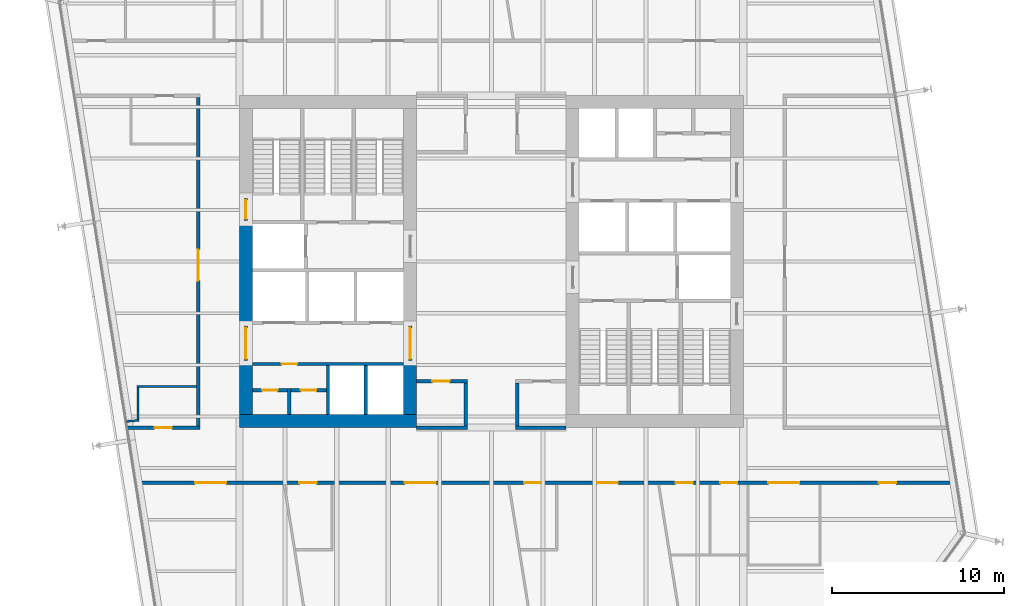
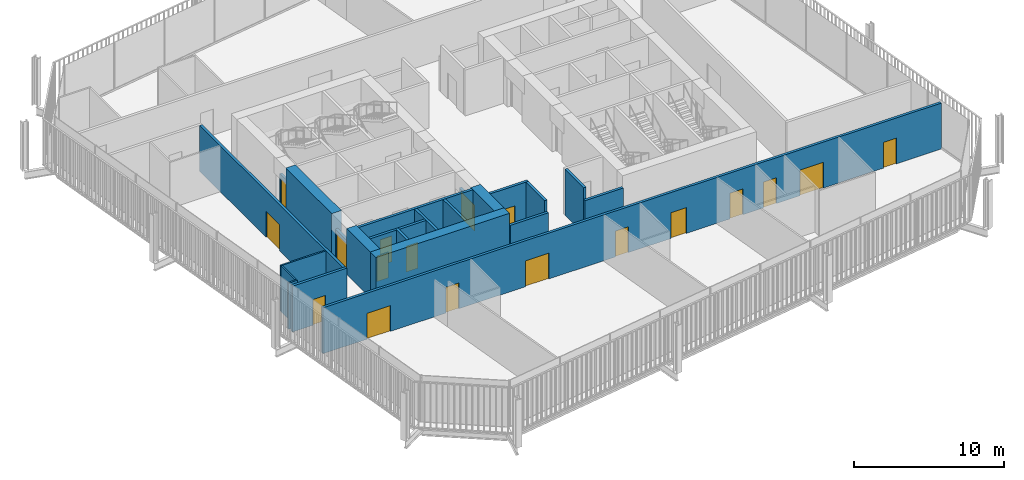
# One storey, part 17 of 21: 23 walls, 18 doors, 18 openings.
"""IFC4 building model written with IfcOpenShell, lengths in metres."""

from ifc_helpers import new_model, si_unit, direction, frame, frame_2d, origin, place, context, subcontext, project, spatial, rectangle, extrude, material, layer, layer_set, type_object, element, fill, save


model = new_model("IFC4")

# Units and contexts
model_context = context("Model", 3, precision=1e-05, world=origin(), true_north=direction((0.0, 1.0)))
body_context = subcontext(model_context, "Body", "Model", "MODEL_VIEW")
ifc_project = project(units=[si_unit("LENGTHUNIT", "METRE"), si_unit("AREAUNIT", "SQUARE_METRE"), si_unit("VOLUMEUNIT", "CUBIC_METRE"), si_unit("PLANEANGLEUNIT", "RADIAN"), si_unit("MASSUNIT", "GRAM", prefix="KILO")], contexts=[model_context])

# Site, building, storey
site_placement = place(None, origin())
site = spatial("IfcSite", under=ifc_project, at=site_placement, CompositionType="ELEMENT")
building_placement = place(site_placement, origin())
building = spatial("IfcBuilding", under=site, at=building_placement, Name="Millrace Tower", CompositionType="ELEMENT")
storey_placement = place(building_placement, frame((0.0, 0.0, 164.60009765625)))
storey = spatial("IfcBuildingStorey", under=building, at=storey_placement, Name="L37", CompositionType="ELEMENT", Elevation=164.60009765625)

# Walls
ifc_material_1 = material(Name="Concrete C70", Category="concrete")
ifc_layer_1 = layer(ifc_material_1, 0.75)
ifc_layer_set_1 = layer_set([ifc_layer_1], Name="Concrete C70")
wall_type_1 = type_object("IfcWallType", Name="Core wall 750 Concrete C70", PredefinedType="SHEAR", material=ifc_layer_set_1)
wall_1_placement = place(storey_placement, frame((-14.64990234375, -9.27490234375, 0.0), z_axis=(0.0, 0.0, 1.0), x_axis=(1.0, 0.0, 0.0)))
element("IfcWall", 1, at=wall_1_placement, inside=storey, type_object=wall_type_1, Name="Core wall W L37", PredefinedType="SHEAR", context=body_context, shape_type="SweptSolid", body=[
    extrude(rectangle(XDim=10.2998046875, YDim=0.75, at=frame_2d((5.14990234375, 0.0))), origin(), (0.0, 0.0, 1.0), 3.739990234375),
])
wall_2_placement = place(storey_placement, frame((-14.27490234375, -8.89990234375, 0.0), z_axis=(0.0, 0.0, 1.0), x_axis=(0.0, 1.0, 0.0)))
element("IfcWall", 2, at=wall_2_placement, inside=storey, type_object=wall_type_1, Name="Core wall W L37", PredefinedType="SHEAR", context=body_context, shape_type="SweptSolid", body=[
    extrude(rectangle(XDim=3.14990234375, YDim=0.75, at=frame_2d((1.574951171875, 0.0))), origin(), (0.0, 0.0, 1.0), 3.739990234375),
])
wall_3_placement = place(storey_placement, frame((-14.27490234375, -3.75, 0.0), z_axis=(0.0, 0.0, 1.0), x_axis=(0.0, 1.0, 0.0)))
element("IfcWall", 3, at=wall_3_placement, inside=storey, type_object=wall_type_1, Name="Core wall W L37", PredefinedType="SHEAR", context=body_context, shape_type="SweptSolid", body=[
    extrude(rectangle(XDim=6.1298828125, YDim=0.75, at=frame_2d((3.06494140625, 0.0))), origin(), (0.0, 0.0, 1.0), 3.739990234375),
])
wall_4_placement = place(storey_placement, frame((-4.72509765625, -8.89990234375, 0.0), z_axis=(0.0, 0.0, 1.0), x_axis=(0.0, 1.0, 0.0)))
element("IfcWall", 4, at=wall_4_placement, inside=storey, type_object=wall_type_1, Name="Core wall W L37", PredefinedType="SHEAR", context=body_context, shape_type="SweptSolid", body=[
    extrude(rectangle(XDim=3.14990234375, YDim=0.75, at=frame_2d((1.574951171875, 0.0))), origin(), (0.0, 0.0, 1.0), 3.739990234375),
])

# Wall, openings, doors
ifc_material_2 = material(Name="Masonry partition, fire-rated", Category="masonry")
ifc_layer_2 = layer(ifc_material_2, 0.199951171875)
ifc_layer_set_2 = layer_set([ifc_layer_2], Name="Masonry partition, fire-rated")
wall_type_2 = type_object("IfcWallType", Name="Corridor wall 200", PredefinedType="PARTITIONING", material=ifc_layer_set_2)
wall_5_placement = place(storey_placement, frame((-20.6435546875, -12.85009765625, 0.0), z_axis=(0.0, 0.0, 1.0), x_axis=(1.0, 0.0, 0.0)))
wall_5 = element("IfcWall", 5, at=wall_5_placement, inside=storey, type_object=wall_type_2, Name="Corridor wall L37", PredefinedType="PARTITIONING", context=body_context, shape_type="SweptSolid", body=[
    extrude(rectangle(XDim=47.646728515625, YDim=0.199951171875, at=frame_2d((23.8232421875, 0.0))), origin(), (0.0, 0.0, 1.0), 3.739990234375),
])
opening_1_placement = place(wall_5_placement, frame((3.41796875, 0.0, 0.0)))
opening_1 = element("IfcOpeningElement", 6, at=opening_1_placement, cuts=wall_5, Name="Opening 37-P010", PredefinedType="OPENING", context=body_context, shape_type="SweptSolid", body=[
    extrude(rectangle(XDim=1.800048828125, YDim=2.10009765625, at=frame_2d((0.89990234375, 1.050048828125))), frame((0.0, 0.10986328125, 0.0), z_axis=(0.0, -1.0, 0.0), x_axis=(1.0, 0.0, 0.0)), (0.0, 0.0, 1.0), 0.219970703125),
])
opening_2_placement = place(wall_5_placement, frame((15.615966796875, 0.0, 0.0)))
opening_2 = element("IfcOpeningElement", 7, at=opening_2_placement, cuts=wall_5, Name="Opening 37-P011", PredefinedType="OPENING", context=body_context, shape_type="SweptSolid", body=[
    extrude(rectangle(XDim=1.800048828125, YDim=2.10009765625, at=frame_2d((0.89990234375, 1.050048828125))), frame((0.0, 0.10986328125, 0.0), z_axis=(0.0, -1.0, 0.0), x_axis=(1.0, 0.0, 0.0)), (0.0, 0.0, 1.0), 0.219970703125),
])
opening_3_placement = place(wall_5_placement, frame((9.485595703125, 0.0, 0.0)))
opening_3 = element("IfcOpeningElement", 8, at=opening_3_placement, cuts=wall_5, Name="Opening 37-P012", PredefinedType="OPENING", context=body_context, shape_type="SweptSolid", body=[
    extrude(rectangle(XDim=1.0, YDim=2.10009765625, at=frame_2d((0.5, 1.050048828125))), frame((0.0, 0.10986328125, 0.0), z_axis=(0.0, -1.0, 0.0), x_axis=(1.0, 0.0, 0.0)), (0.0, 0.0, 1.0), 0.219970703125),
])
opening_4_placement = place(wall_5_placement, frame((26.800048828125, 0.0, 0.0)))
opening_4 = element("IfcOpeningElement", 9, at=opening_4_placement, cuts=wall_5, Name="Opening 37-P013", PredefinedType="OPENING", context=body_context, shape_type="SweptSolid", body=[
    extrude(rectangle(XDim=1.199951171875, YDim=2.10009765625, at=frame_2d((0.60009765625, 1.050048828125))), frame((0.0, 0.10986328125, 0.0), z_axis=(0.0, -1.0, 0.0), x_axis=(1.0, 0.0, 0.0)), (0.0, 0.0, 1.0), 0.219970703125),
])
opening_5_placement = place(wall_5_placement, frame((22.54638671875, 0.0, 0.0)))
opening_5 = element("IfcOpeningElement", 10, at=opening_5_placement, cuts=wall_5, Name="Opening 37-P014", PredefinedType="OPENING", context=body_context, shape_type="SweptSolid", body=[
    extrude(rectangle(XDim=1.0, YDim=2.10009765625, at=frame_2d((0.5, 1.050048828125))), frame((0.0, 0.10986328125, 0.0), z_axis=(0.0, -1.0, 0.0), x_axis=(1.0, 0.0, 0.0)), (0.0, 0.0, 1.0), 0.219970703125),
])
opening_6_placement = place(wall_5_placement, frame((43.174560546875, 0.0, 0.0)))
opening_6 = element("IfcOpeningElement", 11, at=opening_6_placement, cuts=wall_5, Name="Opening 37-P015", PredefinedType="OPENING", context=body_context, shape_type="SweptSolid", body=[
    extrude(rectangle(XDim=1.0, YDim=2.10009765625, at=frame_2d((0.5, 1.050048828125))), frame((0.0, 0.10986328125, 0.0), z_axis=(0.0, -1.0, 0.0), x_axis=(1.0, 0.0, 0.0)), (0.0, 0.0, 1.0), 0.219970703125),
])
opening_7_placement = place(wall_5_placement, frame((31.353515625, 0.0, 0.0)))
opening_7 = element("IfcOpeningElement", 12, at=opening_7_placement, cuts=wall_5, Name="Opening 37-P016", PredefinedType="OPENING", context=body_context, shape_type="SweptSolid", body=[
    extrude(rectangle(XDim=1.0, YDim=2.10009765625, at=frame_2d((0.5, 1.050048828125))), frame((0.0, 0.10986328125, 0.0), z_axis=(0.0, -1.0, 0.0), x_axis=(1.0, 0.0, 0.0)), (0.0, 0.0, 1.0), 0.219970703125),
])
opening_8_placement = place(wall_5_placement, frame((33.95361328125, 0.0, 0.0)))
opening_8 = element("IfcOpeningElement", 13, at=opening_8_placement, cuts=wall_5, Name="Opening 37-P017", PredefinedType="OPENING", context=body_context, shape_type="SweptSolid", body=[
    extrude(rectangle(XDim=1.0, YDim=2.10009765625, at=frame_2d((0.5, 1.050048828125))), frame((0.0, 0.10986328125, 0.0), z_axis=(0.0, -1.0, 0.0), x_axis=(1.0, 0.0, 0.0)), (0.0, 0.0, 1.0), 0.219970703125),
])
opening_9_placement = place(wall_5_placement, frame((36.75341796875, 0.0, 0.0)))
opening_9 = element("IfcOpeningElement", 14, at=opening_9_placement, cuts=wall_5, Name="Opening 37-P018", PredefinedType="OPENING", context=body_context, shape_type="SweptSolid", body=[
    extrude(rectangle(XDim=1.800048828125, YDim=2.10009765625, at=frame_2d((0.89990234375, 1.050048828125))), frame((0.0, 0.10986328125, 0.0), z_axis=(0.0, -1.0, 0.0), x_axis=(1.0, 0.0, 0.0)), (0.0, 0.0, 1.0), 0.219970703125),
])
ifc_material_3 = material(Name="Steel door set, fire-rated", Category="steel")
door_type_1 = type_object("IfcDoorType", Name="Corridor door 1000 x 2100", OperationType="SINGLE_SWING_LEFT", PredefinedType="DOOR", material=ifc_material_3)
door_1_placement = place(opening_3_placement, frame((1.0, 0.0, 0.0), z_axis=(0.0, 0.0, 1.0), x_axis=(-1.0, 0.0, 0.0)))
door_1 = element("IfcDoor", 15, at=door_1_placement, inside=storey, type_object=door_type_1, Name="Door 37-P012", OperationType="SINGLE_SWING_RIGHT", OverallHeight=2.10009765625, OverallWidth=1.0, PredefinedType="DOOR", context=body_context, shape_type="SweptSolid", body=[
    extrude(rectangle(XDim=1.0, YDim=2.10009765625, at=frame_2d((0.5, 1.050048828125))), frame((0.0, 0.02490234375, 0.0), z_axis=(0.0, -1.0, 0.0), x_axis=(1.0, 0.0, 0.0)), (0.0, 0.0, 1.0), 0.050048828125),
])
fill(opening_3, door_1)
door_2_placement = place(opening_5_placement, frame((1.0, 0.0, 0.0), z_axis=(0.0, 0.0, 1.0), x_axis=(-1.0, 0.0, 0.0)))
door_2 = element("IfcDoor", 16, at=door_2_placement, inside=storey, type_object=door_type_1, Name="Door 37-P014", OperationType="SINGLE_SWING_RIGHT", OverallHeight=2.10009765625, OverallWidth=1.0, PredefinedType="DOOR", context=body_context, shape_type="SweptSolid", body=[
    extrude(rectangle(XDim=1.0, YDim=2.10009765625, at=frame_2d((0.5, 1.050048828125))), frame((0.0, 0.02490234375, 0.0), z_axis=(0.0, -1.0, 0.0), x_axis=(1.0, 0.0, 0.0)), (0.0, 0.0, 1.0), 0.050048828125),
])
fill(opening_5, door_2)
door_3_placement = place(opening_6_placement, frame((1.0, 0.0, 0.0), z_axis=(0.0, 0.0, 1.0), x_axis=(-1.0, 0.0, 0.0)))
door_3 = element("IfcDoor", 17, at=door_3_placement, inside=storey, type_object=door_type_1, Name="Door 37-P015", OperationType="SINGLE_SWING_LEFT", OverallHeight=2.10009765625, OverallWidth=1.0, PredefinedType="DOOR", context=body_context, shape_type="SweptSolid", body=[
    extrude(rectangle(XDim=1.0, YDim=2.10009765625, at=frame_2d((0.5, 1.050048828125))), frame((0.0, 0.02490234375, 0.0), z_axis=(0.0, -1.0, 0.0), x_axis=(1.0, 0.0, 0.0)), (0.0, 0.0, 1.0), 0.050048828125),
])
fill(opening_6, door_3)
door_4_placement = place(opening_7_placement, frame((1.0, 0.0, 0.0), z_axis=(0.0, 0.0, 1.0), x_axis=(-1.0, 0.0, 0.0)))
door_4 = element("IfcDoor", 18, at=door_4_placement, inside=storey, type_object=door_type_1, Name="Door 37-P016", OperationType="SINGLE_SWING_LEFT", OverallHeight=2.10009765625, OverallWidth=1.0, PredefinedType="DOOR", context=body_context, shape_type="SweptSolid", body=[
    extrude(rectangle(XDim=1.0, YDim=2.10009765625, at=frame_2d((0.5, 1.050048828125))), frame((0.0, 0.02490234375, 0.0), z_axis=(0.0, -1.0, 0.0), x_axis=(1.0, 0.0, 0.0)), (0.0, 0.0, 1.0), 0.050048828125),
])
fill(opening_7, door_4)
door_5_placement = place(opening_8_placement, frame((1.0, 0.0, 0.0), z_axis=(0.0, 0.0, 1.0), x_axis=(-1.0, 0.0, 0.0)))
door_5 = element("IfcDoor", 19, at=door_5_placement, inside=storey, type_object=door_type_1, Name="Door 37-P017", OperationType="SINGLE_SWING_LEFT", OverallHeight=2.10009765625, OverallWidth=1.0, PredefinedType="DOOR", context=body_context, shape_type="SweptSolid", body=[
    extrude(rectangle(XDim=1.0, YDim=2.10009765625, at=frame_2d((0.5, 1.050048828125))), frame((0.0, 0.02490234375, 0.0), z_axis=(0.0, -1.0, 0.0), x_axis=(1.0, 0.0, 0.0)), (0.0, 0.0, 1.0), 0.050048828125),
])
fill(opening_8, door_5)
ifc_material_4 = material(Name="Steel door set, fire-rated", Category="steel")
door_type_2 = type_object("IfcDoorType", Name="Corridor door 1200 x 2100", OperationType="SINGLE_SWING_LEFT", PredefinedType="DOOR", material=ifc_material_4)
door_6_placement = place(opening_4_placement, frame((1.199951171875, 0.0, 0.0), z_axis=(0.0, 0.0, 1.0), x_axis=(-1.0, 0.0, 0.0)))
door_6 = element("IfcDoor", 20, at=door_6_placement, inside=storey, type_object=door_type_2, Name="Door 37-P013", OperationType="SINGLE_SWING_LEFT", OverallHeight=2.10009765625, OverallWidth=1.199951171875, PredefinedType="DOOR", context=body_context, shape_type="SweptSolid", body=[
    extrude(rectangle(XDim=1.199951171875, YDim=2.10009765625, at=frame_2d((0.60009765625, 1.050048828125))), frame((0.0, 0.02490234375, 0.0), z_axis=(0.0, -1.0, 0.0), x_axis=(1.0, 0.0, 0.0)), (0.0, 0.0, 1.0), 0.050048828125),
])
fill(opening_4, door_6)
ifc_material_5 = material(Name="Steel door set, fire-rated", Category="steel")
door_type_3 = type_object("IfcDoorType", Name="Corridor door 1800 x 2100", OperationType="DOUBLE_DOOR_SINGLE_SWING", PredefinedType="DOOR", material=ifc_material_5)
door_7_placement = place(opening_1_placement, frame((1.800048828125, 0.0, 0.0), z_axis=(0.0, 0.0, 1.0), x_axis=(-1.0, 0.0, 0.0)))
door_7 = element("IfcDoor", 21, at=door_7_placement, inside=storey, type_object=door_type_3, Name="Door 37-P010", OperationType="DOUBLE_DOOR_SINGLE_SWING", OverallHeight=2.10009765625, OverallWidth=1.800048828125, PredefinedType="DOOR", context=body_context, shape_type="SweptSolid", body=[
    extrude(rectangle(XDim=1.800048828125, YDim=2.10009765625, at=frame_2d((0.89990234375, 1.050048828125))), frame((0.0, 0.02490234375, 0.0), z_axis=(0.0, -1.0, 0.0), x_axis=(1.0, 0.0, 0.0)), (0.0, 0.0, 1.0), 0.050048828125),
])
fill(opening_1, door_7)
door_8_placement = place(opening_2_placement, frame((1.800048828125, 0.0, 0.0), z_axis=(0.0, 0.0, 1.0), x_axis=(-1.0, 0.0, 0.0)))
door_8 = element("IfcDoor", 22, at=door_8_placement, inside=storey, type_object=door_type_3, Name="Door 37-P011", OperationType="DOUBLE_DOOR_SINGLE_SWING", OverallHeight=2.10009765625, OverallWidth=1.800048828125, PredefinedType="DOOR", context=body_context, shape_type="SweptSolid", body=[
    extrude(rectangle(XDim=1.800048828125, YDim=2.10009765625, at=frame_2d((0.89990234375, 1.050048828125))), frame((0.0, 0.02490234375, 0.0), z_axis=(0.0, -1.0, 0.0), x_axis=(1.0, 0.0, 0.0)), (0.0, 0.0, 1.0), 0.050048828125),
])
fill(opening_2, door_8)
door_9_placement = place(opening_9_placement, frame((1.800048828125, 0.0, 0.0), z_axis=(0.0, 0.0, 1.0), x_axis=(-1.0, 0.0, 0.0)))
door_9 = element("IfcDoor", 23, at=door_9_placement, inside=storey, type_object=door_type_3, Name="Door 37-P018", OperationType="DOUBLE_DOOR_SINGLE_SWING", OverallHeight=2.10009765625, OverallWidth=1.800048828125, PredefinedType="DOOR", context=body_context, shape_type="SweptSolid", body=[
    extrude(rectangle(XDim=1.800048828125, YDim=2.10009765625, at=frame_2d((0.89990234375, 1.050048828125))), frame((0.0, 0.02490234375, 0.0), z_axis=(0.0, -1.0, 0.0), x_axis=(1.0, 0.0, 0.0)), (0.0, 0.0, 1.0), 0.050048828125),
])
fill(opening_9, door_9)

# Wall, opening, door
wall_6_placement = place(storey_placement, frame((-21.150390625, -9.64990234375, 0.0), z_axis=(0.0, 0.0, 1.0), x_axis=(1.0, 0.0, 0.0)))
wall_6 = element("IfcWall", 24, at=wall_6_placement, inside=storey, type_object=wall_type_2, Name="Corridor wall L37", PredefinedType="PARTITIONING", context=body_context, shape_type="SweptSolid", body=[
    extrude(rectangle(XDim=4.200439453125, YDim=0.199951171875, at=frame_2d((2.10009765625, 0.0))), origin(), (0.0, 0.0, 1.0), 3.739990234375),
])
opening_10_placement = place(wall_6_placement, frame((1.575439453125, 0.0, 0.0)))
opening_10 = element("IfcOpeningElement", 25, at=opening_10_placement, cuts=wall_6, Name="Opening 37-P019", PredefinedType="OPENING", context=body_context, shape_type="SweptSolid", body=[
    extrude(rectangle(XDim=1.0, YDim=2.10009765625, at=frame_2d((0.5, 1.050048828125))), frame((0.0, 0.10986328125, 0.0), z_axis=(0.0, -1.0, 0.0), x_axis=(1.0, 0.0, 0.0)), (0.0, 0.0, 1.0), 0.219970703125),
])
door_10_placement = place(opening_10_placement, origin())
door_10 = element("IfcDoor", 26, at=door_10_placement, inside=storey, type_object=door_type_1, Name="Door 37-P019", OperationType="SINGLE_SWING_RIGHT", OverallHeight=2.10009765625, OverallWidth=1.0, PredefinedType="DOOR", context=body_context, shape_type="SweptSolid", body=[
    extrude(rectangle(XDim=1.0, YDim=2.10009765625, at=frame_2d((0.5, 1.050048828125))), frame((0.0, 0.02490234375, 0.0), z_axis=(0.0, -1.0, 0.0), x_axis=(1.0, 0.0, 0.0)), (0.0, 0.0, 1.0), 0.050048828125),
])
fill(opening_10, door_10)

# Walls
for number, where, z_axis, x_axis, name in (
    (27, (-4.35009765625, -9.64990234375, 0.0), (0.0, 0.0, 1.0), (1.0, 0.0, 0.0), "Corridor wall L37"),
    (28, (1.39990234375, -9.64990234375, 0.0), (0.0, 0.0, 1.0), (1.0, 0.0, 0.0), "Corridor wall L37"),
):
    element("IfcWall", number, at=place(storey_placement, frame(where, z_axis=z_axis, x_axis=x_axis)), inside=storey, type_object=wall_type_2, Name=name, PredefinedType="PARTITIONING", context=body_context, shape_type="SweptSolid", body=[
        extrude(rectangle(XDim=2.9501953125, YDim=0.199951171875, at=frame_2d((1.47509765625, 0.0))), origin(), (0.0, 0.0, 1.0), 2.812744140625),
    ])

# Wall, opening, door
wall_7_placement = place(storey_placement, frame((-4.35009765625, -6.949951171875, 0.0), z_axis=(0.0, 0.0, 1.0), x_axis=(1.0, 0.0, 0.0)))
wall_7 = element("IfcWall", 29, at=wall_7_placement, inside=storey, type_object=wall_type_2, Name="Corridor wall L37", PredefinedType="PARTITIONING", context=body_context, shape_type="SweptSolid", body=[
    extrude(rectangle(XDim=2.9501953125, YDim=0.199951171875, at=frame_2d((1.47509765625, 0.0))), origin(), (0.0, 0.0, 1.0), 3.739990234375),
])
opening_11_placement = place(wall_7_placement, frame((0.925048828125, 0.0, 0.0)))
opening_11 = element("IfcOpeningElement", 30, at=opening_11_placement, cuts=wall_7, Name="Opening 37-P003", PredefinedType="OPENING", context=body_context, shape_type="SweptSolid", body=[
    extrude(rectangle(XDim=1.0, YDim=2.10009765625, at=frame_2d((0.5, 1.050048828125))), frame((0.0, 0.10986328125, 0.0), z_axis=(0.0, -1.0, 0.0), x_axis=(1.0, 0.0, 0.0)), (0.0, 0.0, 1.0), 0.219970703125),
])
door_11_placement = place(opening_11_placement, frame((1.0, 0.0, 0.0), z_axis=(0.0, 0.0, 1.0), x_axis=(-1.0, 0.0, 0.0)))
door_11 = element("IfcDoor", 31, at=door_11_placement, inside=storey, type_object=door_type_1, Name="Door 37-P003", OperationType="SINGLE_SWING_LEFT", OverallHeight=2.10009765625, OverallWidth=1.0, PredefinedType="DOOR", context=body_context, shape_type="SweptSolid", body=[
    extrude(rectangle(XDim=1.0, YDim=2.10009765625, at=frame_2d((0.5, 1.050048828125))), frame((0.0, 0.02490234375, 0.0), z_axis=(0.0, -1.0, 0.0), x_axis=(1.0, 0.0, 0.0)), (0.0, 0.0, 1.0), 0.050048828125),
])
fill(opening_11, door_11)

# Walls
for number, where, z_axis, x_axis, name in (
    (32, (1.5, -9.550048828125, 0.0), (0.0, 0.0, 1.0), (0.0, 1.0, 0.0), "Corridor wall L37"),
    (33, (-1.5, -9.550048828125, 0.0), (0.0, 0.0, 1.0), (0.0, 1.0, 0.0), "Corridor wall L37"),
):
    element("IfcWall", number, at=place(storey_placement, frame(where, z_axis=z_axis, x_axis=x_axis)), inside=storey, type_object=wall_type_2, Name=name, PredefinedType="PARTITIONING", context=body_context, shape_type="SweptSolid", body=[
        extrude(rectangle(XDim=2.5, YDim=0.199951171875, at=frame_2d((1.25, 0.0))), origin(), (0.0, 0.0, 1.0), 3.739990234375),
    ])

# Wall, opening, door
wall_8_placement = place(storey_placement, frame((-17.050048828125, -9.550048828125, 0.0), z_axis=(0.0, 0.0, 1.0), x_axis=(0.0, 1.0, 0.0)))
wall_8 = element("IfcWall", 34, at=wall_8_placement, inside=storey, type_object=wall_type_2, Name="Corridor wall L37", PredefinedType="PARTITIONING", context=body_context, shape_type="SweptSolid", body=[
    extrude(rectangle(XDim=19.10009765625, YDim=0.199951171875, at=frame_2d((9.550048828125, 0.0))), origin(), (0.0, 0.0, 1.0), 3.739990234375),
])
opening_12_placement = place(wall_8_placement, frame((8.449951171875, 0.0, 0.0)))
opening_12 = element("IfcOpeningElement", 35, at=opening_12_placement, cuts=wall_8, Name="Opening 37-P020", PredefinedType="OPENING", context=body_context, shape_type="SweptSolid", body=[
    extrude(rectangle(XDim=1.800048828125, YDim=2.10009765625, at=frame_2d((0.89990234375, 1.050048828125))), frame((0.0, 0.10986328125, 0.0), z_axis=(0.0, -1.0, 0.0), x_axis=(1.0, 0.0, 0.0)), (0.0, 0.0, 1.0), 0.219970703125),
])
door_12_placement = place(opening_12_placement, origin())
door_12 = element("IfcDoor", 36, at=door_12_placement, inside=storey, type_object=door_type_3, Name="Door 37-P020", OperationType="DOUBLE_DOOR_SINGLE_SWING", OverallHeight=2.10009765625, OverallWidth=1.800048828125, PredefinedType="DOOR", context=body_context, shape_type="SweptSolid", body=[
    extrude(rectangle(XDim=1.800048828125, YDim=2.10009765625, at=frame_2d((0.89990234375, 1.050048828125))), frame((0.0, 0.02490234375, 0.0), z_axis=(0.0, -1.0, 0.0), x_axis=(1.0, 0.0, 0.0)), (0.0, 0.0, 1.0), 0.050048828125),
])
fill(opening_12, door_12)

ifc_material_6 = material(Name="Masonry partition, fire-rated", Category="masonry")
ifc_layer_3 = layer(ifc_material_6, 0.199951171875)
ifc_layer_set_3 = layer_set([ifc_layer_3], Name="Masonry partition, fire-rated")
wall_type_3 = type_object("IfcWallType", Name="Lift shaft wall 200", PredefinedType="PARTITIONING", material=ifc_layer_set_3)
wall_9_placement = place(storey_placement, frame((-13.89990234375, -5.949951171875, 0.0), z_axis=(0.0, 0.0, 1.0), x_axis=(1.0, 0.0, 0.0)))
wall_9 = element("IfcWall", 37, at=wall_9_placement, inside=storey, type_object=wall_type_3, Name="Lift shaft wall W L37", PredefinedType="PARTITIONING", context=body_context, shape_type="SweptSolid", body=[
    extrude(rectangle(XDim=8.7998046875, YDim=0.199951171875, at=frame_2d((4.39990234375, 0.0))), origin(), (0.0, 0.0, 1.0), 3.739990234375),
])
opening_13_placement = place(wall_9_placement, frame((1.699951171875, 0.0, 0.0)))
opening_13 = element("IfcOpeningElement", 38, at=opening_13_placement, cuts=wall_9, Name="Opening 37-C005", PredefinedType="OPENING", context=body_context, shape_type="SweptSolid", body=[
    extrude(rectangle(XDim=0.89990234375, YDim=2.10009765625, at=frame_2d((0.449951171875, 1.050048828125))), frame((0.0, 0.10986328125, 0.0), z_axis=(0.0, -1.0, 0.0), x_axis=(1.0, 0.0, 0.0)), (0.0, 0.0, 1.0), 0.219970703125),
])
ifc_material_7 = material(Name="Steel door, fire-rated", Category="steel")
door_type_4 = type_object("IfcDoorType", Name="Service room door 900 x 2100", OperationType="SINGLE_SWING_LEFT", PredefinedType="DOOR", material=ifc_material_7)
door_13_placement = place(opening_13_placement, origin())
door_13 = element("IfcDoor", 39, at=door_13_placement, inside=storey, type_object=door_type_4, Name="Service room door 37-C005", OperationType="SINGLE_SWING_LEFT", OverallHeight=2.10009765625, OverallWidth=0.89990234375, PredefinedType="DOOR", context=body_context, shape_type="SweptSolid", body=[
    extrude(rectangle(XDim=0.89990234375, YDim=2.10009765625, at=frame_2d((0.449951171875, 1.050048828125))), frame((0.0, 0.02490234375, 0.0), z_axis=(0.0, -1.0, 0.0), x_axis=(1.0, 0.0, 0.0)), (0.0, 0.0, 1.0), 0.050048828125),
])
fill(opening_13, door_13)

# Walls
for number, where, z_axis, x_axis, name in (
    (40, (-9.5, -8.89990234375, 0.0), (0.0, 0.0, 1.0), (0.0, 1.0, 0.0), "Lift shaft wall W L37"),
    (41, (-7.300048828125, -8.89990234375, 0.0), (0.0, 0.0, 1.0), (0.0, 1.0, 0.0), "Lift shaft wall W L37"),
):
    element("IfcWall", number, at=place(storey_placement, frame(where, z_axis=z_axis, x_axis=x_axis)), inside=storey, type_object=wall_type_3, Name=name, PredefinedType="PARTITIONING", context=body_context, shape_type="SweptSolid", body=[
        extrude(rectangle(XDim=2.849853515625, YDim=0.199951171875, at=frame_2d((1.4248046875, 0.0))), origin(), (0.0, 0.0, 1.0), 3.739990234375),
    ])

# Wall, opening, door
ifc_material_8 = material(Name="Masonry partition, fire-rated", Category="masonry")
ifc_layer_4 = layer(ifc_material_8, 0.199951171875)
ifc_layer_set_4 = layer_set([ifc_layer_4], Name="Masonry partition, fire-rated")
wall_type_4 = type_object("IfcWallType", Name="Lobby wall 200", PredefinedType="PARTITIONING", material=ifc_layer_set_4)
wall_10_placement = place(storey_placement, frame((-14.27490234375, -5.75, 0.0), z_axis=(0.0, 0.0, 1.0), x_axis=(0.0, 1.0, 0.0)))
wall_10 = element("IfcWall", 42, at=wall_10_placement, inside=storey, type_object=wall_type_4, Name="Lobby wall W L37", PredefinedType="PARTITIONING", context=body_context, shape_type="SweptSolid", body=[
    extrude(rectangle(XDim=2.0, YDim=0.199951171875, at=frame_2d((1.0, 0.0))), origin(), (0.0, 0.0, 1.0), 2.39990234375),
])
opening_14_placement = place(wall_10_placement, frame((0.10009765625, 0.0, 0.0)))
opening_14 = element("IfcOpeningElement", 43, at=opening_14_placement, cuts=wall_10, Name="Opening 37-C001", PredefinedType="OPENING", context=body_context, shape_type="SweptSolid", body=[
    extrude(rectangle(XDim=1.800048828125, YDim=2.10009765625, at=frame_2d((0.89990234375, 1.050048828125))), frame((0.0, 0.10986328125, 0.0), z_axis=(0.0, -1.0, 0.0), x_axis=(1.0, 0.0, 0.0)), (0.0, 0.0, 1.0), 0.219970703125),
])
ifc_material_9 = material(Name="Steel door, fire-rated", Category="steel")
door_type_5 = type_object("IfcDoorType", Name="Lobby door 1800 x 2100", OperationType="DOUBLE_DOOR_SINGLE_SWING", PredefinedType="DOOR", material=ifc_material_9)
door_14_placement = place(opening_14_placement, origin())
door_14 = element("IfcDoor", 44, at=door_14_placement, inside=storey, type_object=door_type_5, Name="Lobby door 37-C001", OperationType="DOUBLE_DOOR_SINGLE_SWING", OverallHeight=2.10009765625, OverallWidth=1.800048828125, PredefinedType="DOOR", context=body_context, shape_type="SweptSolid", body=[
    extrude(rectangle(XDim=1.800048828125, YDim=2.10009765625, at=frame_2d((0.89990234375, 1.050048828125))), frame((0.0, 0.02490234375, 0.0), z_axis=(0.0, -1.0, 0.0), x_axis=(1.0, 0.0, 0.0)), (0.0, 0.0, 1.0), 0.050048828125),
])
fill(opening_14, door_14)

wall_11_placement = place(storey_placement, frame((-4.72509765625, -5.75, 0.0), z_axis=(0.0, 0.0, 1.0), x_axis=(0.0, 1.0, 0.0)))
wall_11 = element("IfcWall", 45, at=wall_11_placement, inside=storey, type_object=wall_type_4, Name="Lobby wall W L37", PredefinedType="PARTITIONING", context=body_context, shape_type="SweptSolid", body=[
    extrude(rectangle(XDim=2.0, YDim=0.199951171875, at=frame_2d((1.0, 0.0))), origin(), (0.0, 0.0, 1.0), 2.39990234375),
])
opening_15_placement = place(wall_11_placement, frame((0.10009765625, 0.0, 0.0)))
opening_15 = element("IfcOpeningElement", 46, at=opening_15_placement, cuts=wall_11, Name="Opening 37-C003", PredefinedType="OPENING", context=body_context, shape_type="SweptSolid", body=[
    extrude(rectangle(XDim=1.800048828125, YDim=2.10009765625, at=frame_2d((0.89990234375, 1.050048828125))), frame((0.0, 0.10986328125, 0.0), z_axis=(0.0, -1.0, 0.0), x_axis=(1.0, 0.0, 0.0)), (0.0, 0.0, 1.0), 0.219970703125),
])
door_15_placement = place(opening_15_placement, origin())
door_15 = element("IfcDoor", 47, at=door_15_placement, inside=storey, type_object=door_type_5, Name="Lobby door 37-C003", OperationType="DOUBLE_DOOR_SINGLE_SWING", OverallHeight=2.10009765625, OverallWidth=1.800048828125, PredefinedType="DOOR", context=body_context, shape_type="SweptSolid", body=[
    extrude(rectangle(XDim=1.800048828125, YDim=2.10009765625, at=frame_2d((0.89990234375, 1.050048828125))), frame((0.0, 0.02490234375, 0.0), z_axis=(0.0, -1.0, 0.0), x_axis=(1.0, 0.0, 0.0)), (0.0, 0.0, 1.0), 0.050048828125),
])
fill(opening_15, door_15)

# Walls
ifc_material_10 = material(Name="Gypsum board partition")
ifc_layer_5 = layer(ifc_material_10, 0.1201171875)
ifc_layer_set_5 = layer_set([ifc_layer_5], Name="Gypsum board partition")
wall_type_5 = type_object("IfcWallType", Name="Partition wall 120", PredefinedType="PARTITIONING", material=ifc_layer_set_5)
wall_12_placement = place(storey_placement, frame((-20.60986328125, -7.25, 0.0), z_axis=(0.0, 0.0, 1.0), x_axis=(1.0, 0.0, 0.0)))
element("IfcWall", 48, at=wall_12_placement, inside=storey, type_object=wall_type_5, Name="Partition wall L37", PredefinedType="PARTITIONING", context=body_context, shape_type="SweptSolid", body=[
    extrude(rectangle(XDim=3.459716796875, YDim=0.1201171875, at=frame_2d((1.72998046875, 0.0))), origin(), (0.0, 0.0, 1.0), 3.739990234375),
])
wall_13_placement = place(storey_placement, frame((-21.20751953125, -9.28857421875, 0.0), z_axis=(0.0, 0.0, 1.0), x_axis=(0.99691705502, 0.078462637039, 0.0)))
element("IfcWall", 49, at=wall_13_placement, inside=storey, type_object=wall_type_5, Name="Partition wall L37", PredefinedType="PARTITIONING", context=body_context, shape_type="SweptSolid", body=[
    extrude(rectangle(XDim=0.71875, YDim=0.1201171875, at=frame_2d((0.359375, 0.0))), origin(), (0.0, 0.0, 1.0), 3.739990234375),
])
wall_14_placement = place(storey_placement, frame((-20.550048828125, -9.17578125, 0.0), z_axis=(0.0, 0.0, 1.0), x_axis=(0.0, 1.0, 0.0)))
element("IfcWall", 50, at=wall_14_placement, inside=storey, type_object=wall_type_5, Name="Partition wall L37", PredefinedType="PARTITIONING", context=body_context, shape_type="SweptSolid", body=[
    extrude(rectangle(XDim=1.86572265625, YDim=0.1201171875, at=frame_2d((0.932861328125, 0.0))), origin(), (0.0, 0.0, 1.0), 3.739990234375),
])

# Wall, openings, doors
ifc_material_11 = material(Name="Masonry partition, fire-rated", Category="masonry")
ifc_layer_6 = layer(ifc_material_11, 0.199951171875)
ifc_layer_set_6 = layer_set([ifc_layer_6], Name="Masonry partition, fire-rated")
wall_type_6 = type_object("IfcWallType", Name="Room partition 200", PredefinedType="PARTITIONING", material=ifc_layer_set_6)
wall_15_placement = place(storey_placement, frame((-13.89990234375, -7.47509765625, 0.0), z_axis=(0.0, 0.0, 1.0), x_axis=(1.0, 0.0, 0.0)))
wall_15 = element("IfcWall", 51, at=wall_15_placement, inside=storey, type_object=wall_type_6, Name="Room partition W L37", PredefinedType="PARTITIONING", context=body_context, shape_type="SweptSolid", body=[
    extrude(rectangle(XDim=4.2998046875, YDim=0.199951171875, at=frame_2d((2.14990234375, 0.0))), origin(), (0.0, 0.0, 1.0), 3.739990234375),
])
opening_16_placement = place(wall_15_placement, frame((0.574951171875, 0.0, 0.0)))
opening_16 = element("IfcOpeningElement", 52, at=opening_16_placement, cuts=wall_15, Name="Opening 37-C006", PredefinedType="OPENING", context=body_context, shape_type="SweptSolid", body=[
    extrude(rectangle(XDim=0.89990234375, YDim=2.10009765625, at=frame_2d((0.449951171875, 1.050048828125))), frame((0.0, 0.10986328125, 0.0), z_axis=(0.0, -1.0, 0.0), x_axis=(1.0, 0.0, 0.0)), (0.0, 0.0, 1.0), 0.219970703125),
])
opening_17_placement = place(wall_15_placement, frame((2.824951171875, 0.0, 0.0)))
opening_17 = element("IfcOpeningElement", 53, at=opening_17_placement, cuts=wall_15, Name="Opening 37-C007", PredefinedType="OPENING", context=body_context, shape_type="SweptSolid", body=[
    extrude(rectangle(XDim=0.89990234375, YDim=2.10009765625, at=frame_2d((0.449951171875, 1.050048828125))), frame((0.0, 0.10986328125, 0.0), z_axis=(0.0, -1.0, 0.0), x_axis=(1.0, 0.0, 0.0)), (0.0, 0.0, 1.0), 0.219970703125),
])
door_16_placement = place(opening_16_placement, frame((0.89990234375, 0.0, 0.0), z_axis=(0.0, 0.0, 1.0), x_axis=(-1.0, 0.0, 0.0)))
door_16 = element("IfcDoor", 54, at=door_16_placement, inside=storey, type_object=door_type_4, Name="Service room door 37-C006", OperationType="SINGLE_SWING_RIGHT", OverallHeight=2.10009765625, OverallWidth=0.89990234375, PredefinedType="DOOR", context=body_context, shape_type="SweptSolid", body=[
    extrude(rectangle(XDim=0.89990234375, YDim=2.10009765625, at=frame_2d((0.449951171875, 1.050048828125))), frame((0.0, 0.02490234375, 0.0), z_axis=(0.0, -1.0, 0.0), x_axis=(1.0, 0.0, 0.0)), (0.0, 0.0, 1.0), 0.050048828125),
])
fill(opening_16, door_16)
door_17_placement = place(opening_17_placement, frame((0.89990234375, 0.0, 0.0), z_axis=(0.0, 0.0, 1.0), x_axis=(-1.0, 0.0, 0.0)))
door_17 = element("IfcDoor", 55, at=door_17_placement, inside=storey, type_object=door_type_4, Name="Service room door 37-C007", OperationType="SINGLE_SWING_LEFT", OverallHeight=2.10009765625, OverallWidth=0.89990234375, PredefinedType="DOOR", context=body_context, shape_type="SweptSolid", body=[
    extrude(rectangle(XDim=0.89990234375, YDim=2.10009765625, at=frame_2d((0.449951171875, 1.050048828125))), frame((0.0, 0.02490234375, 0.0), z_axis=(0.0, -1.0, 0.0), x_axis=(1.0, 0.0, 0.0)), (0.0, 0.0, 1.0), 0.050048828125),
])
fill(opening_17, door_17)

# Wall
wall_16_placement = place(storey_placement, frame((-11.75, -8.89990234375, 0.0), z_axis=(0.0, 0.0, 1.0), x_axis=(0.0, 1.0, 0.0)))
element("IfcWall", 56, at=wall_16_placement, inside=storey, type_object=wall_type_6, Name="Room partition W L37", PredefinedType="PARTITIONING", context=body_context, shape_type="SweptSolid", body=[
    extrude(rectangle(XDim=1.52490234375, YDim=0.199951171875, at=frame_2d((0.762451171875, 0.0))), origin(), (0.0, 0.0, 1.0), 3.739990234375),
])

# Wall, opening, door
ifc_material_12 = material(Name="Concrete C40", Category="concrete")
ifc_layer_7 = layer(ifc_material_12, 0.199951171875)
ifc_layer_set_7 = layer_set([ifc_layer_7], Name="Concrete C40")
wall_type_7 = type_object("IfcWallType", Name="Stair enclosure wall 200 Concrete C40", PredefinedType="SHEAR", material=ifc_layer_set_7)
wall_17_placement = place(storey_placement, frame((-14.27490234375, 2.3798828125, 0.0), z_axis=(0.0, 0.0, 1.0), x_axis=(0.0, 1.0, 0.0)))
wall_17 = element("IfcWall", 57, at=wall_17_placement, inside=storey, type_object=wall_type_7, Name="Stair enclosure wall W L37", PredefinedType="SHEAR", context=body_context, shape_type="SweptSolid", body=[
    extrude(rectangle(XDim=1.300048828125, YDim=0.199951171875, at=frame_2d((0.64990234375, 0.0))), origin(), (0.0, 0.0, 1.0), 2.39990234375),
])
opening_18_placement = place(wall_17_placement, frame((0.10009765625, 0.0, 0.0)))
opening_18 = element("IfcOpeningElement", 58, at=opening_18_placement, cuts=wall_17, Name="Opening 37-C002", PredefinedType="OPENING", context=body_context, shape_type="SweptSolid", body=[
    extrude(rectangle(XDim=1.10009765625, YDim=2.10009765625, at=frame_2d((0.550048828125, 1.050048828125))), frame((0.0, 0.10986328125, 0.0), z_axis=(0.0, -1.0, 0.0), x_axis=(1.0, 0.0, 0.0)), (0.0, 0.0, 1.0), 0.219970703125),
])
ifc_material_13 = material(Name="Steel door, fire-rated", Category="steel")
door_type_6 = type_object("IfcDoorType", Name="Stair door 1100 x 2100", OperationType="SINGLE_SWING_LEFT", PredefinedType="DOOR", material=ifc_material_13)
door_18_placement = place(opening_18_placement, origin())
door_18 = element("IfcDoor", 59, at=door_18_placement, inside=storey, type_object=door_type_6, Name="Stair door 37-C002", OperationType="SINGLE_SWING_RIGHT", OverallHeight=2.10009765625, OverallWidth=1.10009765625, PredefinedType="DOOR", context=body_context, shape_type="SweptSolid", body=[
    extrude(rectangle(XDim=1.10009765625, YDim=2.10009765625, at=frame_2d((0.550048828125, 1.050048828125))), frame((0.0, 0.02490234375, 0.0), z_axis=(0.0, -1.0, 0.0), x_axis=(1.0, 0.0, 0.0)), (0.0, 0.0, 1.0), 0.050048828125),
])
fill(opening_18, door_18)

save(model, "model.ifc")
